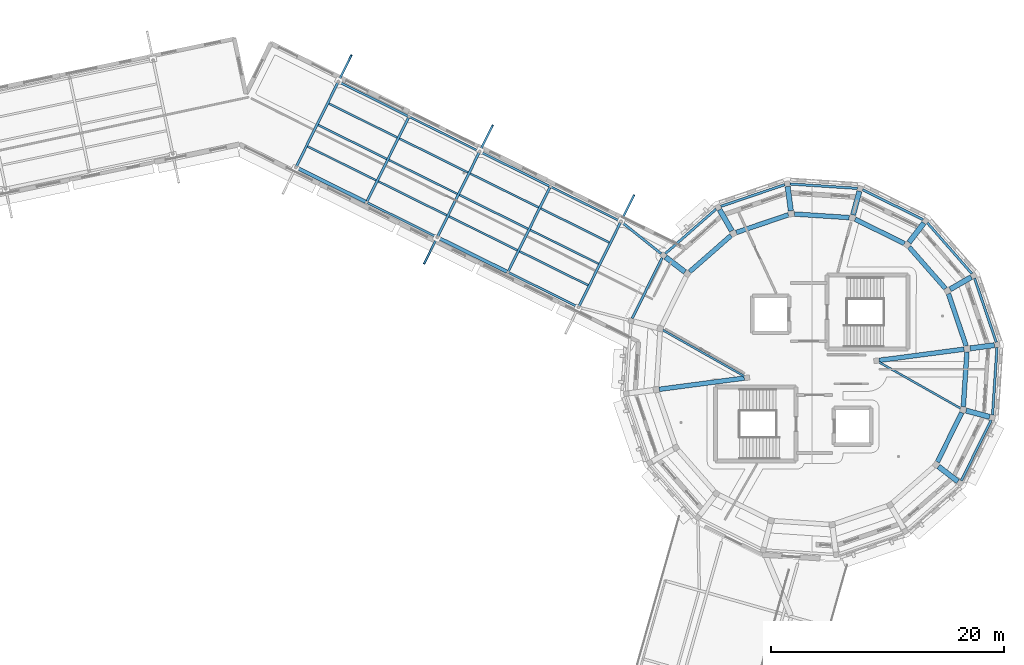
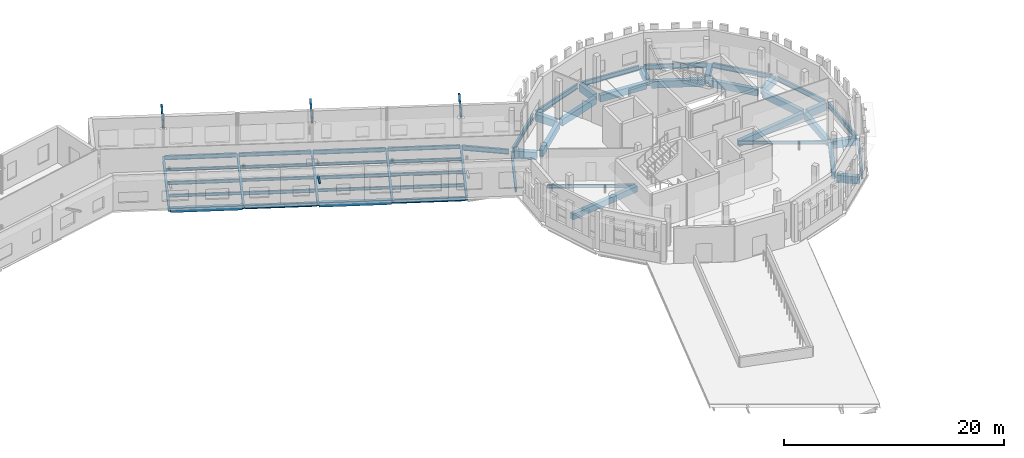
# One storey, part 23 of 68: 56 beams, 4 members.
"""IFC4 building model written with IfcOpenShell, lengths in metres."""

from ifc_helpers import new_model, si_unit, direction, frame, origin, origin_2d, place, context, subcontext, project, spatial, rectangle, hollow_rectangle, i_section, extrude, material, material_profile, profile_set, type_object, element, save


model = new_model("IFC4")

# Units and contexts
model_context = context("Model", 3, precision=1e-05, world=origin(), true_north=direction((0.0, 1.0)))
body_context = subcontext(model_context, "Body", "Model", "MODEL_VIEW")
ifc_project = project(units=[si_unit("LENGTHUNIT", "METRE"), si_unit("AREAUNIT", "SQUARE_METRE"), si_unit("VOLUMEUNIT", "CUBIC_METRE"), si_unit("PLANEANGLEUNIT", "RADIAN"), si_unit("MASSUNIT", "GRAM", prefix="KILO")], contexts=[model_context])

# Site, building, storey
site_placement = place(None, origin())
site = spatial("IfcSite", under=ifc_project, at=site_placement, CompositionType="ELEMENT")
building_placement = place(site_placement, origin())
building = spatial("IfcBuilding", under=site, at=building_placement, Name="Wrenclough Park School", CompositionType="ELEMENT")
storey_placement = place(building_placement, frame((0.0, 0.0, 12.60009765625)))
storey = spatial("IfcBuildingStorey", under=building, at=storey_placement, Name="L03", CompositionType="ELEMENT", Elevation=12.60009765625)

# Beams
ifc_material_1 = material(Name="Concrete C32/40", Category="concrete")
ifc_material_profile_1 = material_profile(ifc_material_1, rectangle(XDim=0.300048828125, YDim=0.5, at=origin_2d()), Name="RC BEAM 300x500")
ifc_profile_set_1 = profile_set([ifc_material_profile_1], Name="Concrete C32/40")
beam_type_1 = type_object("IfcBeamType", Name="STR-BM-RC300", PredefinedType="BEAM", material=ifc_profile_set_1)
for number, where, z_axis, x_axis, name in (
    (1, (130.331787109375, 110.781982421875, -0.489990234375), (0.896263111916, -0.443522755018, 0.0), (0.443522755018, 0.896263111916, 0.0), "W45 L03 longitudinal edge beam R1"),
    (2, (142.456787109375, 104.781982421875, -0.489990234375), (0.896263111916, -0.443522755018, 0.0), (0.443522755018, 0.896263111916, 0.0), "W45 L03 longitudinal edge beam R3"),
):
    element("IfcBeam", number, at=place(storey_placement, frame(where, z_axis=z_axis, x_axis=x_axis)), inside=storey, type_object=beam_type_1, Name=name, PredefinedType="BEAM", context=body_context, shape_type="SweptSolid", body=[
        extrude(rectangle(XDim=0.300048828125, YDim=0.5, at=origin_2d()), origin(), (0.0, 0.0, 1.0), 6.568603515625),
    ])
ifc_material_2 = material(Name="Concrete C35/45", Category="concrete")
ifc_material_profile_2 = material_profile(ifc_material_2, rectangle(XDim=0.39990234375, YDim=0.64990234375, at=origin_2d()), Name="RC BEAM 400x650")
ifc_profile_set_2 = profile_set([ifc_material_profile_2], Name="Concrete C35/45")
beam_type_2 = type_object("IfcBeamType", Name="STR-BM-RC400A", PredefinedType="BEAM", material=ifc_profile_set_2)
for number, where, z_axis, x_axis, name in (
    (3, (187.5732421875, 95.22119140625, -0.60498046875), (-0.991442527194, -0.130543920851, 0.0), (0.130543920851, -0.991442527194, 0.0), "D5 L03 inner radial beam 1"),
    (4, (161.4267578125, 91.77880859375, -0.60498046875), (0.991442527194, 0.130543920851, 0.0), (-0.130543920851, 0.991442527194, 0.0), "D5 L03 inner radial beam 5"),
):
    element("IfcBeam", number, at=place(storey_placement, frame(where, z_axis=z_axis, x_axis=x_axis)), inside=storey, type_object=beam_type_2, Name=name, PredefinedType="BEAM", context=body_context, shape_type="SweptSolid", body=[
        extrude(rectangle(XDim=0.39990234375, YDim=0.64990234375, at=origin_2d()), origin(), (0.0, 0.0, 1.0), 7.345947265625),
    ])
ifc_material_profile_3 = material_profile(ifc_material_2, rectangle(XDim=0.39990234375, YDim=0.75, at=origin_2d()), Name="RC BEAM 400x750")
ifc_profile_set_3 = profile_set([ifc_material_profile_3], Name="Concrete C35/45")
beam_type_3 = type_object("IfcBeamType", Name="STR-BM-RC400B", PredefinedType="BEAM", material=ifc_profile_set_3)
for number, where, z_axis, x_axis, name in (
    (5, (187.75, 95.505615234375, -0.655029296875), (-0.321421417637, 0.946936255661, 0.0), (-0.946936255661, -0.321421417637, 0.0), "D5 L03 middle ring beam 1"),
    (6, (185.973876953125, 100.423583984375, -0.655029296875), (-0.659350116413, 0.751836035307, 0.0), (-0.751836035307, -0.659350116413, 0.0), "D5 L03 middle ring beam 2"),
):
    element("IfcBeam", number, at=place(storey_placement, frame(where, z_axis=z_axis, x_axis=x_axis)), inside=storey, type_object=beam_type_3, Name=name, PredefinedType="BEAM", context=body_context, shape_type="SweptSolid", body=[
        extrude(rectangle(XDim=0.39990234375, YDim=0.75, at=origin_2d()), origin(), (0.0, 0.0, 1.0), 4.719970703125),
    ])
beam_1_placement = place(storey_placement, frame((182.450927734375, 104.287353515625, -0.655029296875), z_axis=(-0.89685541027, 0.442323832808, 0.0), x_axis=(-0.442323832808, -0.89685541027, 0.0)))
element("IfcBeam", 7, at=beam_1_placement, inside=storey, type_object=beam_type_3, Name="D5 L03 middle ring beam 3", PredefinedType="BEAM", context=body_context, shape_type="SweptSolid", body=[
    extrude(rectangle(XDim=0.39990234375, YDim=0.75, at=origin_2d()), origin(), (0.0, 0.0, 1.0), 4.7197265625),
])
for number, where, z_axis, x_axis, name in (
    (8, (177.7177734375, 106.509033203125, -0.655029296875), (-0.9978604909, 0.065379206951, 0.0), (-0.065379206951, -0.9978604909, 0.0), "D5 L03 middle ring beam 4"),
    (9, (172.494384765625, 106.75, -0.655029296875), (-0.946936255661, -0.321421417637, 0.0), (0.321421417637, -0.946936255661, 0.0), "D5 L03 middle ring beam 5"),
    (10, (167.576416015625, 104.973876953125, -0.655029296875), (-0.751836035307, -0.659350116413, 0.0), (0.659350116413, -0.751836035307, 0.0), "D5 L03 middle ring beam 6"),
):
    element("IfcBeam", number, at=place(storey_placement, frame(where, z_axis=z_axis, x_axis=x_axis)), inside=storey, type_object=beam_type_3, Name=name, PredefinedType="BEAM", context=body_context, shape_type="SweptSolid", body=[
        extrude(rectangle(XDim=0.39990234375, YDim=0.75, at=origin_2d()), origin(), (0.0, 0.0, 1.0), 4.719970703125),
    ])
beam_2_placement = place(storey_placement, frame((185.287353515625, 85.549072265625, -0.655029296875), z_axis=(0.442323832808, 0.89685541027, 0.0), x_axis=(-0.89685541027, 0.442323832808, 0.0)))
element("IfcBeam", 11, at=beam_2_placement, inside=storey, type_object=beam_type_3, Name="D5 L03 middle ring beam 15", PredefinedType="BEAM", context=body_context, shape_type="SweptSolid", body=[
    extrude(rectangle(XDim=0.39990234375, YDim=0.75, at=origin_2d()), origin(), (0.0, 0.0, 1.0), 4.7197265625),
])
beam_3_placement = place(storey_placement, frame((187.509033203125, 90.2822265625, -0.655029296875), z_axis=(0.065379206951, 0.9978604909, 0.0), x_axis=(-0.9978604909, 0.065379206951, 0.0)))
element("IfcBeam", 12, at=beam_3_placement, inside=storey, type_object=beam_type_3, Name="D5 L03 middle ring beam 16", PredefinedType="BEAM", context=body_context, shape_type="SweptSolid", body=[
    extrude(rectangle(XDim=0.39990234375, YDim=0.75, at=origin_2d()), origin(), (0.0, 0.0, 1.0), 4.719970703125),
])
ifc_material_3 = material(Name="Concrete C40/50", Category="concrete")
ifc_material_profile_4 = material_profile(ifc_material_3, rectangle(XDim=0.449951171875, YDim=0.800048828125, at=origin_2d()), Name="RC BEAM 450x800")
ifc_profile_set_4 = profile_set([ifc_material_profile_4], Name="Concrete C40/50")
beam_type_4 = type_object("IfcBeamType", Name="STR-BM-RC450", PredefinedType="BEAM", material=ifc_profile_set_4)
for number, where, z_axis, x_axis, name in (
    (13, (190.1748046875, 95.563720703125, -0.68017578125), (-0.991439224031, -0.13056900495, 0.0), (0.13056900495, -0.991439224031, 0.0), "D5 L03 radial girder 1"),
    (14, (188.19189453125, 101.405029296875, -0.68017578125), (-0.866005190944, -0.500035008033, 0.0), (0.500035008033, -0.866005190944, 0.0), "D5 L03 radial girder 2"),
):
    element("IfcBeam", number, at=place(storey_placement, frame(where, z_axis=z_axis, x_axis=x_axis)), inside=storey, type_object=beam_type_4, Name=name, PredefinedType="BEAM", context=body_context, shape_type="SweptSolid", body=[
        extrude(rectangle(XDim=0.449951171875, YDim=0.800048828125, at=origin_2d()), origin(), (0.0, 0.0, 1.0), 2.095947265625),
    ])
for number, where, z_axis, x_axis, name in (
    (15, (184.12451171875, 106.04296875, -0.68017578125), (-0.608759124181, -0.793355108843, 0.0), (0.793355108843, -0.608759124181, 0.0), "D5 L03 radial girder 3"),
    (16, (178.591796875, 108.771240234375, -0.68017578125), (-0.258807889511, -0.965928815352, 0.0), (0.965928815352, -0.258807889511, 0.0), "D5 L03 radial girder 4"),
):
    element("IfcBeam", number, at=place(storey_placement, frame(where, z_axis=z_axis, x_axis=x_axis)), inside=storey, type_object=beam_type_4, Name=name, PredefinedType="BEAM", context=body_context, shape_type="SweptSolid", body=[
        extrude(rectangle(XDim=0.449951171875, YDim=0.800048828125, at=origin_2d()), origin(), (0.0, 0.0, 1.0), 2.09619140625),
    ])
for number, where, z_axis, x_axis, name in (
    (17, (172.436279296875, 109.1748046875, -0.68017578125), (0.13056900495, -0.991439224031, 0.0), (0.991439224031, 0.13056900495, 0.0), "D5 L03 radial girder 5"),
    (18, (166.594970703125, 107.19189453125, -0.68017578125), (0.500035008033, -0.866005190944, 0.0), (0.866005190944, 0.500035008033, 0.0), "D5 L03 radial girder 6"),
):
    element("IfcBeam", number, at=place(storey_placement, frame(where, z_axis=z_axis, x_axis=x_axis)), inside=storey, type_object=beam_type_4, Name=name, PredefinedType="BEAM", context=body_context, shape_type="SweptSolid", body=[
        extrude(rectangle(XDim=0.449951171875, YDim=0.800048828125, at=origin_2d()), origin(), (0.0, 0.0, 1.0), 2.095947265625),
    ])
for number, where, z_axis, x_axis, name in (
    (19, (161.95703125, 103.12451171875, -0.68017578125), (0.793355108843, -0.608759124181, 0.0), (0.608759124181, 0.793355108843, 0.0), "D5 L03 radial girder 7"),
    (20, (187.04296875, 83.87548828125, -0.68017578125), (-0.793355108843, 0.608759124181, 0.0), (-0.608759124181, -0.793355108843, 0.0), "D5 L03 radial girder 15"),
    (21, (189.771240234375, 89.408203125, -0.68017578125), (-0.965928815352, 0.258807889511, 0.0), (-0.258807889511, -0.965928815352, 0.0), "D5 L03 radial girder 16"),
):
    element("IfcBeam", number, at=place(storey_placement, frame(where, z_axis=z_axis, x_axis=x_axis)), inside=storey, type_object=beam_type_4, Name=name, PredefinedType="BEAM", context=body_context, shape_type="SweptSolid", body=[
        extrude(rectangle(XDim=0.449951171875, YDim=0.800048828125, at=origin_2d()), origin(), (0.0, 0.0, 1.0), 2.09619140625),
    ])
ifc_material_4 = material(Name="Structural steel S355", Category="steel")
ifc_material_profile_5 = material_profile(ifc_material_4, i_section(OverallWidth=0.1650390625, OverallDepth=0.303466796875, WebThickness=0.006103515625, FlangeThickness=0.01025390625, FilletRadius=0.0087890625, at=origin_2d()), Name="UKB 305x165x40")
ifc_profile_set_5 = profile_set([ifc_material_profile_5], Name="Structural steel S355")
beam_type_5 = type_object("IfcBeamType", Name="STR-BM-UKB305", PredefinedType="JOIST", material=ifc_profile_set_5)
for number, where, z_axis, x_axis, name in (
    (22, (133.0654296875, 116.291015625, -0.391845703125), (0.896266918537, -0.443515062581, 0.0), (0.443515062581, 0.896266918537, 0.0), "W45 L03 secondary floor joist 0121"),
    (23, (131.2470703125, 112.6162109375, -0.391845703125), (0.896266918537, -0.443515062581, 0.0), (0.443515062581, 0.896266918537, 0.0), "W45 L03 secondary floor joist 0123"),
    (24, (138.21875, 111.45361328125, -0.391845703125), (0.896266918537, -0.443515062581, 0.0), (0.443515062581, 0.896266918537, 0.0), "W45 L03 secondary floor joist 0125"),
    (25, (145.1904296875, 110.291015625, -0.391845703125), (0.896266918537, -0.443515062581, 0.0), (0.443515062581, 0.896266918537, 0.0), "W45 L03 secondary floor joist 0127"),
    (26, (143.3720703125, 106.6162109375, -0.391845703125), (0.896266918537, -0.443515062581, 0.0), (0.443515062581, 0.896266918537, 0.0), "W45 L03 secondary floor joist 0129"),
    (27, (150.34375, 105.45361328125, -0.391845703125), (0.896266918537, -0.443515062581, 0.0), (0.443515062581, 0.896266918537, 0.0), "W45 L03 secondary floor joist 0131"),
):
    element("IfcBeam", number, at=place(storey_placement, frame(where, z_axis=z_axis, x_axis=x_axis)), inside=storey, type_object=beam_type_5, Name=name, PredefinedType="JOIST", context=body_context, shape_type="SweptSolid", body=[
        extrude(i_section(OverallWidth=0.1650390625, OverallDepth=0.303466796875, WebThickness=0.006103515625, FlangeThickness=0.01025390625, FilletRadius=0.0087890625, at=origin_2d()), origin(), (0.0, 0.0, 1.0), 6.554931640625),
    ])
ifc_material_profile_6 = material_profile(ifc_material_4, i_section(OverallWidth=0.17138671875, OverallDepth=0.35498046875, WebThickness=0.00732421875, FlangeThickness=0.011474609375, FilletRadius=0.01025390625, at=origin_2d()), Name="UKB 356x171x51")
ifc_profile_set_6 = profile_set([ifc_material_profile_6], Name="Structural steel S355")
beam_type_6 = type_object("IfcBeamType", Name="STR-BM-UKB356", PredefinedType="JOIST", material=ifc_profile_set_6)
for number, where, z_axis, x_axis, name in (
    (28, (132.15625, 114.45361328125, -0.41748046875), (0.896266918537, -0.443515062581, 0.0), (0.443515062581, 0.896266918537, 0.0), "W45 L03 secondary floor joist 0122"),
    (29, (139.1279296875, 113.291015625, -0.41748046875), (0.896266918537, -0.443515062581, 0.0), (0.443515062581, 0.896266918537, 0.0), "W45 L03 secondary floor joist 0124"),
    (30, (137.3095703125, 109.6162109375, -0.41748046875), (0.896266918537, -0.443515062581, 0.0), (0.443515062581, 0.896266918537, 0.0), "W45 L03 secondary floor joist 0126"),
    (31, (144.28125, 108.45361328125, -0.41748046875), (0.896266918537, -0.443515062581, 0.0), (0.443515062581, 0.896266918537, 0.0), "W45 L03 secondary floor joist 0128"),
    (32, (151.2529296875, 107.291015625, -0.41748046875), (0.896266918537, -0.443515062581, 0.0), (0.443515062581, 0.896266918537, 0.0), "W45 L03 secondary floor joist 0130"),
    (33, (149.4345703125, 103.6162109375, -0.41748046875), (0.896266918537, -0.443515062581, 0.0), (0.443515062581, 0.896266918537, 0.0), "W45 L03 secondary floor joist 0132"),
):
    element("IfcBeam", number, at=place(storey_placement, frame(where, z_axis=z_axis, x_axis=x_axis)), inside=storey, type_object=beam_type_6, Name=name, PredefinedType="JOIST", context=body_context, shape_type="SweptSolid", body=[
        extrude(i_section(OverallWidth=0.17138671875, OverallDepth=0.35498046875, WebThickness=0.00732421875, FlangeThickness=0.011474609375, FilletRadius=0.01025390625, at=origin_2d()), origin(), (0.0, 0.0, 1.0), 6.554931640625),
    ])
for number, where, z_axis, x_axis, name in (
    (34, (161.738037109375, 96.85107421875, -0.45751953125), (0.870200886555, -0.492697084464, 0.0), (0.492697084464, 0.870200886555, 0.0), "D5 L03 secondary radial floor beam 7"),
    (35, (187.261962890625, 90.14892578125, -0.45751953125), (-0.870200886555, 0.492697084464, 0.0), (-0.492697084464, -0.870200886555, 0.0), "D5 L03 secondary radial floor beam 15"),
):
    element("IfcBeam", number, at=place(storey_placement, frame(where, z_axis=z_axis, x_axis=x_axis)), inside=storey, type_object=beam_type_6, Name=name, PredefinedType="JOIST", context=body_context, shape_type="SweptSolid", body=[
        extrude(i_section(OverallWidth=0.17138671875, OverallDepth=0.35498046875, WebThickness=0.00732421875, FlangeThickness=0.011474609375, FilletRadius=0.01025390625, at=origin_2d()), origin(), (0.0, 0.0, 1.0), 8.045166015625),
    ])
ifc_material_profile_7 = material_profile(ifc_material_4, i_section(OverallWidth=0.177978515625, OverallDepth=0.406494140625, WebThickness=0.0078125, FlangeThickness=0.0126953125, FilletRadius=0.01025390625, at=origin_2d()), Name="UKB 406x178x60")
ifc_profile_set_7 = profile_set([ifc_material_profile_7], Name="Structural steel S355")
beam_type_7 = type_object("IfcBeamType", Name="STR-BM-UKB406", PredefinedType="BEAM", material=ifc_profile_set_7)
for number, where, z_axis, x_axis, name in (
    (36, (140.031005859375, 115.13134765625, -0.443359375), (0.896263111916, -0.443522755018, 0.0), (0.443522755018, 0.896263111916, 0.0), "W45 L03 longitudinal edge beam L2"),
    (37, (152.156005859375, 109.13134765625, -0.443359375), (0.896263111916, -0.443522755018, 0.0), (0.443522755018, 0.896263111916, 0.0), "W45 L03 longitudinal edge beam L4"),
):
    element("IfcBeam", number, at=place(storey_placement, frame(where, z_axis=z_axis, x_axis=x_axis)), inside=storey, type_object=beam_type_7, Name=name, PredefinedType="BEAM", context=body_context, shape_type="SweptSolid", body=[
        extrude(i_section(OverallWidth=0.177978515625, OverallDepth=0.406494140625, WebThickness=0.0078125, FlangeThickness=0.0126953125, FilletRadius=0.01025390625, at=origin_2d()), origin(), (0.0, 0.0, 1.0), 6.568603515625),
    ])
ifc_material_profile_8 = material_profile(ifc_material_4, i_section(OverallWidth=0.18994140625, OverallDepth=0.453369140625, WebThickness=0.008544921875, FlangeThickness=0.0126953125, FilletRadius=0.01025390625, at=origin_2d()), Name="UKB 457x191x67")
ifc_profile_set_8 = profile_set([ifc_material_profile_8], Name="Structural steel S355")
beam_type_8 = type_object("IfcBeamType", Name="STR-BM-UKB457A", PredefinedType="BEAM", material=ifc_profile_set_8)
for number, where, z_axis, x_axis, name in (
    (38, (133.968505859375, 118.13134765625, -0.466796875), (0.896263111916, -0.443522755018, 0.0), (0.443522755018, 0.896263111916, 0.0), "W45 L03 longitudinal edge beam L1"),
    (39, (136.394287109375, 107.781982421875, -0.466796875), (0.896263111916, -0.443522755018, 0.0), (0.443522755018, 0.896263111916, 0.0), "W45 L03 longitudinal edge beam R2"),
    (40, (146.093505859375, 112.13134765625, -0.466796875), (0.896263111916, -0.443522755018, 0.0), (0.443522755018, 0.896263111916, 0.0), "W45 L03 longitudinal edge beam L3"),
    (41, (148.519287109375, 101.781982421875, -0.466796875), (0.896263111916, -0.443522755018, 0.0), (0.443522755018, 0.896263111916, 0.0), "W45 L03 longitudinal edge beam R4"),
):
    element("IfcBeam", number, at=place(storey_placement, frame(where, z_axis=z_axis, x_axis=x_axis)), inside=storey, type_object=beam_type_8, Name=name, PredefinedType="BEAM", context=body_context, shape_type="SweptSolid", body=[
        extrude(i_section(OverallWidth=0.18994140625, OverallDepth=0.453369140625, WebThickness=0.008544921875, FlangeThickness=0.0126953125, FilletRadius=0.01025390625, at=origin_2d()), origin(), (0.0, 0.0, 1.0), 6.568603515625),
    ])
ifc_material_profile_9 = material_profile(ifc_material_4, i_section(OverallWidth=0.209228515625, OverallDepth=0.533203125, WebThickness=0.010009765625, FlangeThickness=0.015625, FilletRadius=0.0126953125, at=origin_2d()), Name="UKB 533x210x92")
ifc_profile_set_9 = profile_set([ifc_material_profile_9], Name="Structural steel S355")
beam_type_9 = type_object("IfcBeamType", Name="STR-BM-UKB533A", PredefinedType="BEAM", material=ifc_profile_set_9)
for number, where, z_axis, x_axis, name in (
    (42, (133.837646484375, 118.087158203125, -0.506591796875), (-0.443525447431, -0.896261779549, 0.0), (0.896261779549, -0.443525447431, 0.0), "W45 L03 transverse floor beam 1"),
    (43, (139.900146484375, 115.087158203125, -0.506591796875), (-0.443525447431, -0.896261779549, 0.0), (0.896261779549, -0.443525447431, 0.0), "W45 L03 transverse floor beam 2"),
    (44, (145.962646484375, 112.087158203125, -0.506591796875), (-0.443525447431, -0.896261779549, 0.0), (0.896261779549, -0.443525447431, 0.0), "W45 L03 transverse floor beam 3"),
    (45, (152.025146484375, 109.087158203125, -0.506591796875), (-0.443525447431, -0.896261779549, 0.0), (0.896261779549, -0.443525447431, 0.0), "W45 L03 transverse floor beam 4"),
    (46, (158.087646484375, 106.087158203125, -0.506591796875), (-0.443525447431, -0.896261779549, 0.0), (0.896261779549, -0.443525447431, 0.0), "W45 L03 transverse floor beam 5"),
):
    element("IfcBeam", number, at=place(storey_placement, frame(where, z_axis=z_axis, x_axis=x_axis)), inside=storey, type_object=beam_type_9, Name=name, PredefinedType="BEAM", context=body_context, shape_type="SweptSolid", body=[
        extrude(i_section(OverallWidth=0.209228515625, OverallDepth=0.533203125, WebThickness=0.010009765625, FlangeThickness=0.015625, FilletRadius=0.0126953125, at=origin_2d()), origin(), (0.0, 0.0, 1.0), 8.004638671875),
    ])
beam_4_placement = place(storey_placement, frame((158.207275390625, 106.11376953125, -0.546630859375), z_axis=(0.781332218518, -0.624115345354, 0.0), x_axis=(0.624115345354, 0.781332218518, 0.0)))
element("IfcBeam", 47, at=beam_4_placement, inside=storey, type_object=beam_type_9, Name="W45 L03 drum junction tie beam 51", PredefinedType="BEAM", context=body_context, shape_type="SweptSolid", body=[
    extrude(i_section(OverallWidth=0.209228515625, OverallDepth=0.533203125, WebThickness=0.010009765625, FlangeThickness=0.015625, FilletRadius=0.0126953125, at=origin_2d()), origin(), (0.0, 0.0, 1.0), 4.3154296875),
])
ifc_material_profile_10 = material_profile(ifc_material_4, i_section(OverallWidth=0.210693359375, OverallDepth=0.53955078125, WebThickness=0.01171875, FlangeThickness=0.018798828125, FilletRadius=0.0126953125, at=origin_2d()), Name="UKB 533x210x109")
ifc_profile_set_10 = profile_set([ifc_material_profile_10], Name="Structural steel S355")
beam_type_10 = type_object("IfcBeamType", Name="STR-BM-UKB533B", PredefinedType="SPANDREL", material=ifc_profile_set_10)
beam_5_placement = place(storey_placement, frame((190.335693359375, 95.822265625, -0.5498046875), z_axis=(-0.321479571103, 0.946916514463, 0.0), x_axis=(-0.946916514463, -0.321479571103, 0.0)))
element("IfcBeam", 48, at=beam_5_placement, inside=storey, type_object=beam_type_10, Name="D5 L03 outer ring spandrel beam 1", PredefinedType="SPANDREL", context=body_context, shape_type="SweptSolid", body=[
    extrude(i_section(OverallWidth=0.210693359375, OverallDepth=0.53955078125, WebThickness=0.01171875, FlangeThickness=0.018798828125, FilletRadius=0.0126953125, at=origin_2d()), origin(), (0.0, 0.0, 1.0), 5.7822265625),
])
for number, where, z_axis, x_axis, name in (
    (49, (188.241455078125, 101.705322265625, -0.5498046875), (-0.659341117172, 0.751843927425, 0.0), (-0.751843927425, -0.659341117172, 0.0), "D5 L03 outer ring spandrel beam 2"),
    (50, (184.055419921875, 106.33935546875, -0.5498046875), (-0.896870870578, 0.44229248412, 0.0), (-0.44229248412, -0.896870870578, 0.0), "D5 L03 outer ring spandrel beam 3"),
):
    element("IfcBeam", number, at=place(storey_placement, frame(where, z_axis=z_axis, x_axis=x_axis)), inside=storey, type_object=beam_type_10, Name=name, PredefinedType="SPANDREL", context=body_context, shape_type="SweptSolid", body=[
        extrude(i_section(OverallWidth=0.210693359375, OverallDepth=0.53955078125, WebThickness=0.01171875, FlangeThickness=0.018798828125, FilletRadius=0.0126953125, at=origin_2d()), origin(), (0.0, 0.0, 1.0), 5.78271484375),
    ])
beam_6_placement = place(storey_placement, frame((178.41455078125, 109.018798828125, -0.5498046875), z_axis=(-0.997859072584, 0.065400850615, 0.0), x_axis=(-0.065400850615, -0.997859072584, 0.0)))
element("IfcBeam", 51, at=beam_6_placement, inside=storey, type_object=beam_type_10, Name="D5 L03 outer ring spandrel beam 4", PredefinedType="SPANDREL", context=body_context, shape_type="SweptSolid", body=[
    extrude(i_section(OverallWidth=0.210693359375, OverallDepth=0.53955078125, WebThickness=0.01171875, FlangeThickness=0.018798828125, FilletRadius=0.0126953125, at=origin_2d()), origin(), (0.0, 0.0, 1.0), 5.782470703125),
])
beam_7_placement = place(storey_placement, frame((172.177734375, 109.335693359375, -0.5498046875), z_axis=(-0.946916514463, -0.321479571103, 0.0), x_axis=(0.321479571103, -0.946916514463, 0.0)))
element("IfcBeam", 52, at=beam_7_placement, inside=storey, type_object=beam_type_10, Name="D5 L03 outer ring spandrel beam 5", PredefinedType="SPANDREL", context=body_context, shape_type="SweptSolid", body=[
    extrude(i_section(OverallWidth=0.210693359375, OverallDepth=0.53955078125, WebThickness=0.01171875, FlangeThickness=0.018798828125, FilletRadius=0.0126953125, at=origin_2d()), origin(), (0.0, 0.0, 1.0), 5.7822265625),
])
for number, where, z_axis, x_axis, name in (
    (53, (166.294677734375, 107.241455078125, -0.5498046875), (-0.751843927425, -0.659341117172, 0.0), (0.659341117172, -0.751843927425, 0.0), "D5 L03 outer ring spandrel beam 6"),
    (54, (161.66064453125, 103.055419921875, -0.5498046875), (-0.44229248412, -0.896870870578, 0.0), (0.896870870578, -0.44229248412, 0.0), "D5 L03 outer ring spandrel beam 7"),
    (55, (187.33935546875, 83.944580078125, -0.5498046875), (0.44229248412, 0.896870870578, 0.0), (-0.896870870578, 0.44229248412, 0.0), "D5 L03 outer ring spandrel beam 15"),
):
    element("IfcBeam", number, at=place(storey_placement, frame(where, z_axis=z_axis, x_axis=x_axis)), inside=storey, type_object=beam_type_10, Name=name, PredefinedType="SPANDREL", context=body_context, shape_type="SweptSolid", body=[
        extrude(i_section(OverallWidth=0.210693359375, OverallDepth=0.53955078125, WebThickness=0.01171875, FlangeThickness=0.018798828125, FilletRadius=0.0126953125, at=origin_2d()), origin(), (0.0, 0.0, 1.0), 5.78271484375),
    ])
beam_8_placement = place(storey_placement, frame((190.018798828125, 89.58544921875, -0.5498046875), z_axis=(0.065400850615, 0.997859072584, 0.0), x_axis=(-0.997859072584, 0.065400850615, 0.0)))
element("IfcBeam", 56, at=beam_8_placement, inside=storey, type_object=beam_type_10, Name="D5 L03 outer ring spandrel beam 16", PredefinedType="SPANDREL", context=body_context, shape_type="SweptSolid", body=[
    extrude(i_section(OverallWidth=0.210693359375, OverallDepth=0.53955078125, WebThickness=0.01171875, FlangeThickness=0.018798828125, FilletRadius=0.0126953125, at=origin_2d()), origin(), (0.0, 0.0, 1.0), 5.782470703125),
])

# Members
ifc_material_profile_11 = material_profile(ifc_material_4, hollow_rectangle(XDim=0.179931640625, YDim=0.179931640625, WallThickness=0.010009765625, InnerFilletRadius=0.010009765625, OuterFilletRadius=0.014892578125, at=origin_2d()), Name="SHS 180x180x10.0")
ifc_profile_set_11 = profile_set([ifc_material_profile_11], Name="Structural steel S355")
member_type = type_object("IfcMemberType", Name="STR-MEM-STRUT2", PredefinedType="STRUT", material=ifc_profile_set_11)
for number, where, z_axis, x_axis, name in (
    (57, (133.924560546875, 118.26318359375, 2.75), (0.416413171952, 0.841334111898, 0.344611349756), (-0.896232426996, 0.443584757178, 0.0), "W45 overhanging eave knee-brace strut 15"),
    (58, (146.049560546875, 112.26318359375, 2.75), (0.416413171952, 0.841334111898, 0.344611349756), (-0.896232426996, 0.443584757178, 0.0), "W45 overhanging eave knee-brace strut 17"),
    (59, (142.325439453125, 104.73681640625, 2.75), (-0.416413171952, -0.841334111898, 0.344611349756), (0.896232426996, -0.443584757178, 0.0), "W45 overhanging eave knee-brace strut 18"),
    (60, (158.174560546875, 106.26318359375, 2.75), (0.416413171952, 0.841334111898, 0.344611349756), (-0.896232426996, 0.443584757178, 0.0), "W45 overhanging eave knee-brace strut 19"),
):
    element("IfcMember", number, at=place(storey_placement, frame(where, z_axis=z_axis, x_axis=x_axis)), inside=storey, type_object=member_type, Name=name, PredefinedType="STRUT", context=body_context, shape_type="SweptSolid", body=[
        extrude(hollow_rectangle(XDim=0.179931640625, YDim=0.179931640625, WallThickness=0.010009765625, InnerFilletRadius=0.010009765625, OuterFilletRadius=0.014892578125, at=origin_2d()), origin(), (0.0, 0.0, 1.0), 2.611328125),
    ])

save(model, "model.ifc")
